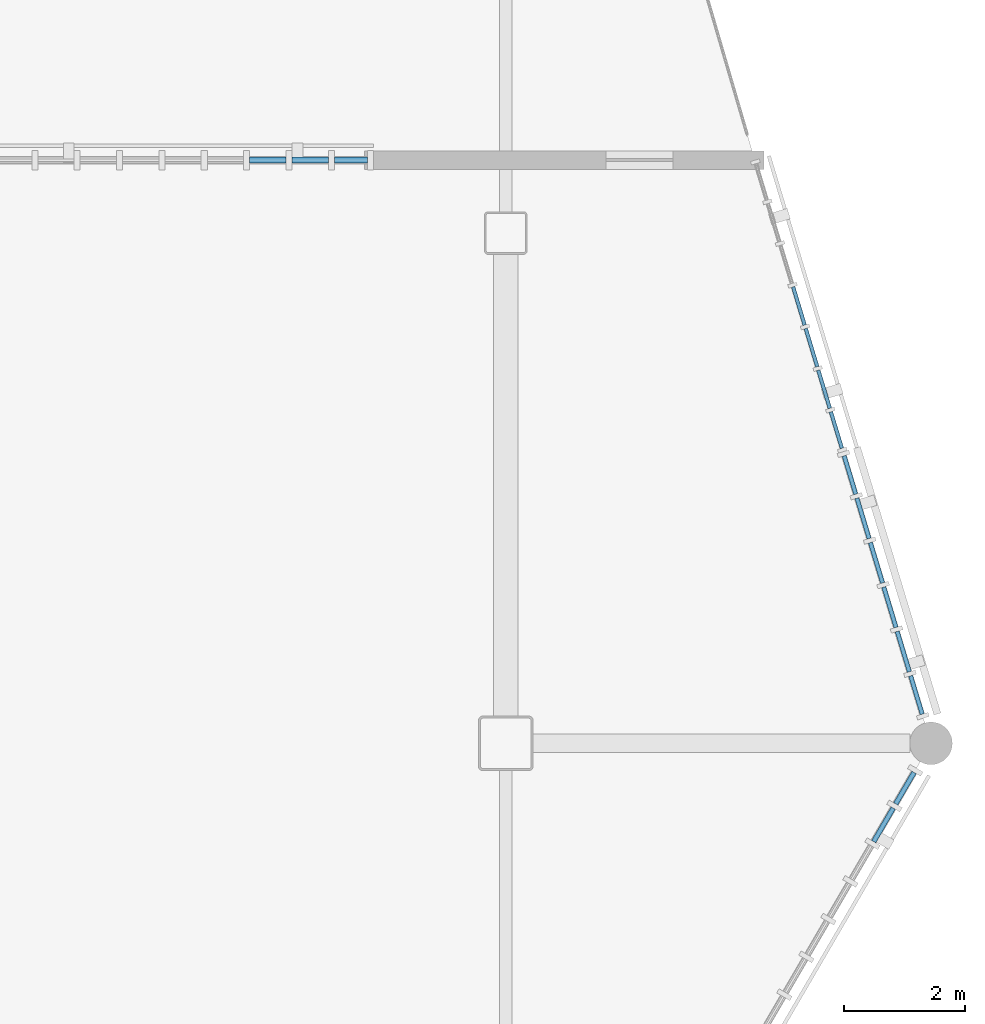
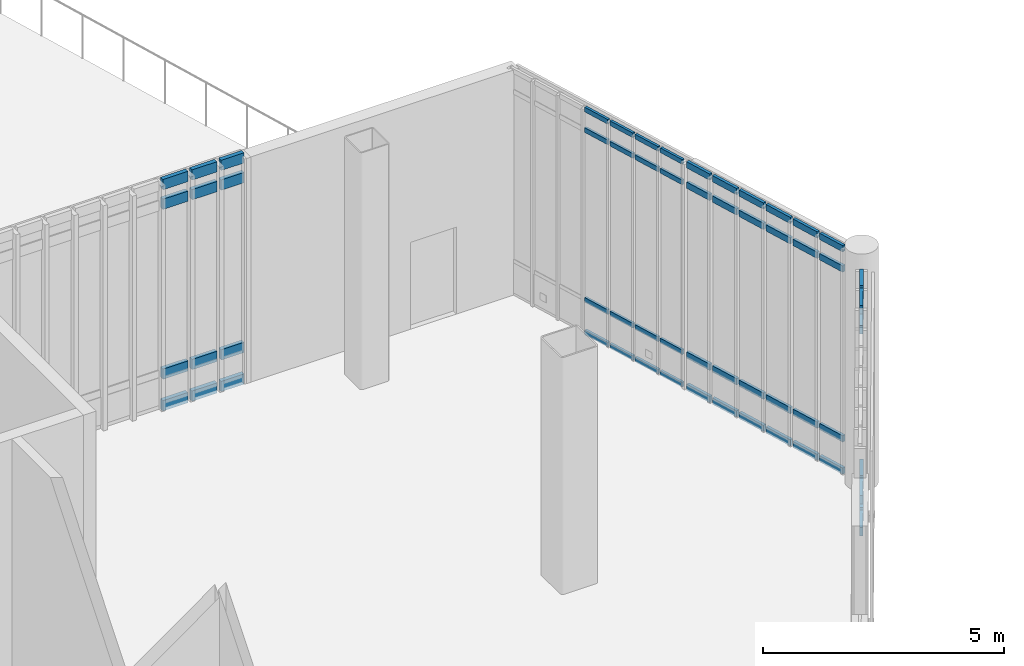
# One storey, part 63 of 135: 60 members, 4 elements without a shape of their own.
"""IFC4 building model written with IfcOpenShell, lengths in metres."""

from ifc_helpers import new_model, si_unit, direction, frame, origin, origin_2d, place, context, subcontext, project, spatial, rectangle, extrude, material, material_profile, profile_set, type_object, element, aggregate, save


model = new_model("IFC4")

# Units and contexts
model_context = context("Model", 3, precision=1e-05, world=origin(), true_north=direction((0.0, 1.0)))
body_context = subcontext(model_context, "Body", "Model", "MODEL_VIEW")
ifc_project = project(units=[si_unit("LENGTHUNIT", "METRE"), si_unit("AREAUNIT", "SQUARE_METRE"), si_unit("VOLUMEUNIT", "CUBIC_METRE"), si_unit("PLANEANGLEUNIT", "RADIAN"), si_unit("MASSUNIT", "GRAM", prefix="KILO")], contexts=[model_context])

# Site, building, storey
site_placement = place(None, origin())
site = spatial("IfcSite", under=ifc_project, at=site_placement, CompositionType="ELEMENT")
building_placement = place(site_placement, origin())
building = spatial("IfcBuilding", under=site, at=building_placement, Name="Larkvane Passage Sports Hall", CompositionType="ELEMENT")
storey_placement = place(building_placement, frame((0.0, 0.0, 10.800048828125)))
storey = spatial("IfcBuildingStorey", under=building, at=storey_placement, Name="L02", CompositionType="ELEMENT", Elevation=10.800048828125)

# Curtain wall, members
ifc_material_1 = material(Name="Thermally broken aluminium and low-E glazing", Category="aluminium")
curtain_wall_type_1 = type_object("IfcCurtainWallType", Name="CW-CLINIC", PredefinedType="USERDEFINED", material=ifc_material_1)
curtain_wall_1_placement = place(storey_placement, origin())
curtain_wall_1 = element("IfcCurtainWall", 1, at=curtain_wall_1_placement, inside=storey, type_object=curtain_wall_type_1, Name="Curtain wall CW5-L02-067", ObjectType="UNITISED CURTAIN WALL", PredefinedType="USERDEFINED")
ifc_material_2 = material(Name="Anodised aluminium 6063-T6", Category="aluminium")
ifc_material_profile_1 = material_profile(ifc_material_2, rectangle(XDim=0.10009765625, YDim=0.260009765625, at=origin_2d()), Name="ALU-TRN-100x260")
ifc_profile_set_1 = profile_set([ifc_material_profile_1], Name="Anodised aluminium 6063-T6")
member_type_1 = type_object("IfcMemberType", Name="CW-TRN-100x260", PredefinedType="USERDEFINED", material=ifc_profile_set_1)
member_1_placement = place(storey_placement, frame((141.38330078125, 85.199951171875, 0.050048828125), z_axis=(1.0, 0.0, 0.0), x_axis=(0.0, 1.0, 0.0)))
member_1 = element("IfcMember", 2, at=member_1_placement, type_object=member_type_1, Name="CW-05 transom 7.1", ObjectType="TRANSOM", PredefinedType="USERDEFINED", context=body_context, shape_type="SweptSolid", body=[
    extrude(rectangle(XDim=0.10009765625, YDim=0.260009765625, at=origin_2d()), origin(), (0.0, 0.0, 1.0), 0.59716796875),
])
member_2_placement = place(storey_placement, frame((141.38330078125, 85.199951171875, 0.849853515625), z_axis=(1.0, 0.0, 0.0), x_axis=(0.0, 1.0, 0.0)))
member_2 = element("IfcMember", 3, at=member_2_placement, type_object=member_type_1, Name="CW-05 transom 7.2", ObjectType="TRANSOM", PredefinedType="USERDEFINED", context=body_context, shape_type="SweptSolid", body=[
    extrude(rectangle(XDim=0.10009765625, YDim=0.260009765625, at=origin_2d()), origin(), (0.0, 0.0, 1.0), 0.59716796875),
])
member_3_placement = place(storey_placement, frame((141.38330078125, 85.199951171875, 5.14990234375), z_axis=(1.0, 0.0, 0.0), x_axis=(0.0, 1.0, 0.0)))
member_3 = element("IfcMember", 4, at=member_3_placement, type_object=member_type_1, Name="CW-05 transom 7.3", ObjectType="TRANSOM", PredefinedType="USERDEFINED", context=body_context, shape_type="SweptSolid", body=[
    extrude(rectangle(XDim=0.10009765625, YDim=0.260009765625, at=origin_2d()), origin(), (0.0, 0.0, 1.0), 0.59716796875),
])
member_4_placement = place(storey_placement, frame((141.38330078125, 85.199951171875, 5.64990234375), z_axis=(1.0, 0.0, 0.0), x_axis=(0.0, 1.0, 0.0)))
member_4 = element("IfcMember", 5, at=member_4_placement, type_object=member_type_1, Name="CW-05 transom 7.4", ObjectType="TRANSOM", PredefinedType="USERDEFINED", context=body_context, shape_type="SweptSolid", body=[
    extrude(rectangle(XDim=0.10009765625, YDim=0.260009765625, at=origin_2d()), origin(), (0.0, 0.0, 1.0), 0.59716796875),
])
member_5_placement = place(storey_placement, frame((142.08056640625, 85.199951171875, 0.050048828125), z_axis=(1.0, 0.0, 0.0), x_axis=(0.0, 1.0, 0.0)))
member_5 = element("IfcMember", 6, at=member_5_placement, type_object=member_type_1, Name="CW-05 transom 8.1", ObjectType="TRANSOM", PredefinedType="USERDEFINED", context=body_context, shape_type="SweptSolid", body=[
    extrude(rectangle(XDim=0.10009765625, YDim=0.260009765625, at=origin_2d()), origin(), (0.0, 0.0, 1.0), 0.59716796875),
])
member_6_placement = place(storey_placement, frame((142.08056640625, 85.199951171875, 0.849853515625), z_axis=(1.0, 0.0, 0.0), x_axis=(0.0, 1.0, 0.0)))
member_6 = element("IfcMember", 7, at=member_6_placement, type_object=member_type_1, Name="CW-05 transom 8.2", ObjectType="TRANSOM", PredefinedType="USERDEFINED", context=body_context, shape_type="SweptSolid", body=[
    extrude(rectangle(XDim=0.10009765625, YDim=0.260009765625, at=origin_2d()), origin(), (0.0, 0.0, 1.0), 0.59716796875),
])
member_7_placement = place(storey_placement, frame((142.08056640625, 85.199951171875, 5.14990234375), z_axis=(1.0, 0.0, 0.0), x_axis=(0.0, 1.0, 0.0)))
member_7 = element("IfcMember", 8, at=member_7_placement, type_object=member_type_1, Name="CW-05 transom 8.3", ObjectType="TRANSOM", PredefinedType="USERDEFINED", context=body_context, shape_type="SweptSolid", body=[
    extrude(rectangle(XDim=0.10009765625, YDim=0.260009765625, at=origin_2d()), origin(), (0.0, 0.0, 1.0), 0.59716796875),
])
member_8_placement = place(storey_placement, frame((142.08056640625, 85.199951171875, 5.64990234375), z_axis=(1.0, 0.0, 0.0), x_axis=(0.0, 1.0, 0.0)))
member_8 = element("IfcMember", 9, at=member_8_placement, type_object=member_type_1, Name="CW-05 transom 8.4", ObjectType="TRANSOM", PredefinedType="USERDEFINED", context=body_context, shape_type="SweptSolid", body=[
    extrude(rectangle(XDim=0.10009765625, YDim=0.260009765625, at=origin_2d()), origin(), (0.0, 0.0, 1.0), 0.59716796875),
])
member_9_placement = place(storey_placement, frame((142.77783203125, 85.199951171875, 0.050048828125), z_axis=(1.0, 0.0, 0.0), x_axis=(0.0, 1.0, 0.0)))
member_9 = element("IfcMember", 10, at=member_9_placement, type_object=member_type_1, Name="CW-05 transom 9.1", ObjectType="TRANSOM", PredefinedType="USERDEFINED", context=body_context, shape_type="SweptSolid", body=[
    extrude(rectangle(XDim=0.10009765625, YDim=0.260009765625, at=origin_2d()), origin(), (0.0, 0.0, 1.0), 0.547119140625),
])
member_10_placement = place(storey_placement, frame((142.77783203125, 85.199951171875, 0.849853515625), z_axis=(1.0, 0.0, 0.0), x_axis=(0.0, 1.0, 0.0)))
member_10 = element("IfcMember", 11, at=member_10_placement, type_object=member_type_1, Name="CW-05 transom 9.2", ObjectType="TRANSOM", PredefinedType="USERDEFINED", context=body_context, shape_type="SweptSolid", body=[
    extrude(rectangle(XDim=0.10009765625, YDim=0.260009765625, at=origin_2d()), origin(), (0.0, 0.0, 1.0), 0.547119140625),
])
member_11_placement = place(storey_placement, frame((142.77783203125, 85.199951171875, 5.14990234375), z_axis=(1.0, 0.0, 0.0), x_axis=(0.0, 1.0, 0.0)))
member_11 = element("IfcMember", 12, at=member_11_placement, type_object=member_type_1, Name="CW-05 transom 9.3", ObjectType="TRANSOM", PredefinedType="USERDEFINED", context=body_context, shape_type="SweptSolid", body=[
    extrude(rectangle(XDim=0.10009765625, YDim=0.260009765625, at=origin_2d()), origin(), (0.0, 0.0, 1.0), 0.547119140625),
])
member_12_placement = place(storey_placement, frame((142.77783203125, 85.199951171875, 5.64990234375), z_axis=(1.0, 0.0, 0.0), x_axis=(0.0, 1.0, 0.0)))
member_12 = element("IfcMember", 13, at=member_12_placement, type_object=member_type_1, Name="CW-05 transom 9.4", ObjectType="TRANSOM", PredefinedType="USERDEFINED", context=body_context, shape_type="SweptSolid", body=[
    extrude(rectangle(XDim=0.10009765625, YDim=0.260009765625, at=origin_2d()), origin(), (0.0, 0.0, 1.0), 0.547119140625),
])
aggregate(curtain_wall_1, [member_1, member_2, member_3, member_4, member_5, member_6, member_7, member_8, member_9, member_10, member_11, member_12])

curtain_wall_type_2 = type_object("IfcCurtainWallType", Name="CW-UNIT-COURT", PredefinedType="USERDEFINED", material=ifc_material_1)
curtain_wall_2_placement = place(storey_placement, origin())
curtain_wall_2 = element("IfcCurtainWall", 14, at=curtain_wall_2_placement, inside=storey, type_object=curtain_wall_type_2, Name="Curtain wall CW5-L02-068", ObjectType="UNITISED CURTAIN WALL", PredefinedType="USERDEFINED")
ifc_material_profile_2 = material_profile(ifc_material_2, rectangle(XDim=0.06005859375, YDim=0.1201171875, at=origin_2d()), Name="ALU-TRN-60x120")
ifc_profile_set_2 = profile_set([ifc_material_profile_2], Name="Anodised aluminium 6063-T6")
member_type_2 = type_object("IfcMemberType", Name="CW-TRN-60x120", PredefinedType="USERDEFINED", material=ifc_profile_set_2)
member_13_placement = place(storey_placement, frame((150.330078125, 83.1142578125, 0.030029296875), z_axis=(0.288985297917, -0.957333535184, 0.0), x_axis=(0.957333535184, 0.288985297917, 0.0)))
member_13 = element("IfcMember", 15, at=member_13_placement, type_object=member_type_2, Name="CW-01 transom 4.1", ObjectType="TRANSOM", PredefinedType="USERDEFINED", context=body_context, shape_type="SweptSolid", body=[
    extrude(rectangle(XDim=0.06005859375, YDim=0.1201171875, at=origin_2d()), origin(), (0.0, 0.0, 1.0), 0.656494140625),
])
member_14_placement = place(storey_placement, frame((150.330078125, 83.1142578125, 0.849853515625), z_axis=(0.288985297917, -0.957333535184, 0.0), x_axis=(0.957333535184, 0.288985297917, 0.0)))
member_14 = element("IfcMember", 16, at=member_14_placement, type_object=member_type_2, Name="CW-01 transom 4.2", ObjectType="TRANSOM", PredefinedType="USERDEFINED", context=body_context, shape_type="SweptSolid", body=[
    extrude(rectangle(XDim=0.06005859375, YDim=0.1201171875, at=origin_2d()), origin(), (0.0, 0.0, 1.0), 0.656494140625),
])
member_15_placement = place(storey_placement, frame((150.330078125, 83.1142578125, 5.14990234375), z_axis=(0.288985297917, -0.957333535184, 0.0), x_axis=(0.957333535184, 0.288985297917, 0.0)))
member_15 = element("IfcMember", 17, at=member_15_placement, type_object=member_type_2, Name="CW-01 transom 4.3", ObjectType="TRANSOM", PredefinedType="USERDEFINED", context=body_context, shape_type="SweptSolid", body=[
    extrude(rectangle(XDim=0.06005859375, YDim=0.1201171875, at=origin_2d()), origin(), (0.0, 0.0, 1.0), 0.656494140625),
])
member_16_placement = place(storey_placement, frame((150.330078125, 83.1142578125, 5.669921875), z_axis=(0.288985297917, -0.957333535184, 0.0), x_axis=(0.957333535184, 0.288985297917, 0.0)))
member_16 = element("IfcMember", 18, at=member_16_placement, type_object=member_type_2, Name="CW-01 transom 4.4", ObjectType="TRANSOM", PredefinedType="USERDEFINED", context=body_context, shape_type="SweptSolid", body=[
    extrude(rectangle(XDim=0.06005859375, YDim=0.1201171875, at=origin_2d()), origin(), (0.0, 0.0, 1.0), 0.656494140625),
])
member_17_placement = place(storey_placement, frame((150.537353515625, 82.428466796875, 0.030029296875), z_axis=(0.288985297917, -0.957333535184, 0.0), x_axis=(0.957333535184, 0.288985297917, 0.0)))
member_17 = element("IfcMember", 19, at=member_17_placement, type_object=member_type_2, Name="CW-01 transom 5.1", ObjectType="TRANSOM", PredefinedType="USERDEFINED", context=body_context, shape_type="SweptSolid", body=[
    extrude(rectangle(XDim=0.06005859375, YDim=0.1201171875, at=origin_2d()), origin(), (0.0, 0.0, 1.0), 0.656494140625),
])
member_18_placement = place(storey_placement, frame((150.537353515625, 82.428466796875, 0.849853515625), z_axis=(0.288985297917, -0.957333535184, 0.0), x_axis=(0.957333535184, 0.288985297917, 0.0)))
member_18 = element("IfcMember", 20, at=member_18_placement, type_object=member_type_2, Name="CW-01 transom 5.2", ObjectType="TRANSOM", PredefinedType="USERDEFINED", context=body_context, shape_type="SweptSolid", body=[
    extrude(rectangle(XDim=0.06005859375, YDim=0.1201171875, at=origin_2d()), origin(), (0.0, 0.0, 1.0), 0.656494140625),
])
member_19_placement = place(storey_placement, frame((150.537353515625, 82.428466796875, 5.14990234375), z_axis=(0.288985297917, -0.957333535184, 0.0), x_axis=(0.957333535184, 0.288985297917, 0.0)))
member_19 = element("IfcMember", 21, at=member_19_placement, type_object=member_type_2, Name="CW-01 transom 5.3", ObjectType="TRANSOM", PredefinedType="USERDEFINED", context=body_context, shape_type="SweptSolid", body=[
    extrude(rectangle(XDim=0.06005859375, YDim=0.1201171875, at=origin_2d()), origin(), (0.0, 0.0, 1.0), 0.656494140625),
])
member_20_placement = place(storey_placement, frame((150.537353515625, 82.428466796875, 5.669921875), z_axis=(0.288985297917, -0.957333535184, 0.0), x_axis=(0.957333535184, 0.288985297917, 0.0)))
member_20 = element("IfcMember", 22, at=member_20_placement, type_object=member_type_2, Name="CW-01 transom 5.4", ObjectType="TRANSOM", PredefinedType="USERDEFINED", context=body_context, shape_type="SweptSolid", body=[
    extrude(rectangle(XDim=0.06005859375, YDim=0.1201171875, at=origin_2d()), origin(), (0.0, 0.0, 1.0), 0.656494140625),
])
member_21_placement = place(storey_placement, frame((150.744384765625, 81.74267578125, 0.030029296875), z_axis=(0.289088227772, -0.957302458246, 0.0), x_axis=(0.957302458246, 0.289088227772, 0.0)))
member_21 = element("IfcMember", 23, at=member_21_placement, type_object=member_type_2, Name="CW-01 transom 6.1", ObjectType="TRANSOM", PredefinedType="USERDEFINED", context=body_context, shape_type="SweptSolid", body=[
    extrude(rectangle(XDim=0.06005859375, YDim=0.1201171875, at=origin_2d()), origin(), (0.0, 0.0, 1.0), 0.65625),
])
member_22_placement = place(storey_placement, frame((150.744384765625, 81.74267578125, 0.849853515625), z_axis=(0.289088227772, -0.957302458246, 0.0), x_axis=(0.957302458246, 0.289088227772, 0.0)))
member_22 = element("IfcMember", 24, at=member_22_placement, type_object=member_type_2, Name="CW-01 transom 6.2", ObjectType="TRANSOM", PredefinedType="USERDEFINED", context=body_context, shape_type="SweptSolid", body=[
    extrude(rectangle(XDim=0.06005859375, YDim=0.1201171875, at=origin_2d()), origin(), (0.0, 0.0, 1.0), 0.65625),
])
member_23_placement = place(storey_placement, frame((150.744384765625, 81.74267578125, 5.14990234375), z_axis=(0.289088227772, -0.957302458246, 0.0), x_axis=(0.957302458246, 0.289088227772, 0.0)))
member_23 = element("IfcMember", 25, at=member_23_placement, type_object=member_type_2, Name="CW-01 transom 6.3", ObjectType="TRANSOM", PredefinedType="USERDEFINED", context=body_context, shape_type="SweptSolid", body=[
    extrude(rectangle(XDim=0.06005859375, YDim=0.1201171875, at=origin_2d()), origin(), (0.0, 0.0, 1.0), 0.65625),
])
member_24_placement = place(storey_placement, frame((150.744384765625, 81.74267578125, 5.669921875), z_axis=(0.289088227772, -0.957302458246, 0.0), x_axis=(0.957302458246, 0.289088227772, 0.0)))
member_24 = element("IfcMember", 26, at=member_24_placement, type_object=member_type_2, Name="CW-01 transom 6.4", ObjectType="TRANSOM", PredefinedType="USERDEFINED", context=body_context, shape_type="SweptSolid", body=[
    extrude(rectangle(XDim=0.06005859375, YDim=0.1201171875, at=origin_2d()), origin(), (0.0, 0.0, 1.0), 0.65625),
])
member_25_placement = place(storey_placement, frame((150.951416015625, 81.056884765625, 0.030029296875), z_axis=(0.289314725391, -0.957234030774, 0.0), x_axis=(0.957234030774, 0.289314725391, 0.0)))
member_25 = element("IfcMember", 27, at=member_25_placement, type_object=member_type_2, Name="CW-01 transom 7.1", ObjectType="TRANSOM", PredefinedType="USERDEFINED", context=body_context, shape_type="SweptSolid", body=[
    extrude(rectangle(XDim=0.06005859375, YDim=0.1201171875, at=origin_2d()), origin(), (0.0, 0.0, 1.0), 0.626220703125),
])
member_26_placement = place(storey_placement, frame((150.951416015625, 81.056884765625, 0.849853515625), z_axis=(0.289314725391, -0.957234030774, 0.0), x_axis=(0.957234030774, 0.289314725391, 0.0)))
member_26 = element("IfcMember", 28, at=member_26_placement, type_object=member_type_2, Name="CW-01 transom 7.2", ObjectType="TRANSOM", PredefinedType="USERDEFINED", context=body_context, shape_type="SweptSolid", body=[
    extrude(rectangle(XDim=0.06005859375, YDim=0.1201171875, at=origin_2d()), origin(), (0.0, 0.0, 1.0), 0.626220703125),
])
member_27_placement = place(storey_placement, frame((150.951416015625, 81.056884765625, 5.14990234375), z_axis=(0.289314725391, -0.957234030774, 0.0), x_axis=(0.957234030774, 0.289314725391, 0.0)))
member_27 = element("IfcMember", 29, at=member_27_placement, type_object=member_type_2, Name="CW-01 transom 7.3", ObjectType="TRANSOM", PredefinedType="USERDEFINED", context=body_context, shape_type="SweptSolid", body=[
    extrude(rectangle(XDim=0.06005859375, YDim=0.1201171875, at=origin_2d()), origin(), (0.0, 0.0, 1.0), 0.626220703125),
])
member_28_placement = place(storey_placement, frame((150.951416015625, 81.056884765625, 5.669921875), z_axis=(0.289314725391, -0.957234030774, 0.0), x_axis=(0.957234030774, 0.289314725391, 0.0)))
member_28 = element("IfcMember", 30, at=member_28_placement, type_object=member_type_2, Name="CW-01 transom 7.4", ObjectType="TRANSOM", PredefinedType="USERDEFINED", context=body_context, shape_type="SweptSolid", body=[
    extrude(rectangle(XDim=0.06005859375, YDim=0.1201171875, at=origin_2d()), origin(), (0.0, 0.0, 1.0), 0.626220703125),
])
aggregate(curtain_wall_2, [member_13, member_14, member_15, member_16, member_17, member_18, member_19, member_20, member_21, member_22, member_23, member_24, member_25, member_26, member_27, member_28])

curtain_wall_type_3 = type_object("IfcCurtainWallType", Name="CW-UNIT-VEIL", PredefinedType="USERDEFINED", material=ifc_material_1)
curtain_wall_3_placement = place(storey_placement, origin())
curtain_wall_3 = element("IfcCurtainWall", 31, at=curtain_wall_3_placement, inside=storey, type_object=curtain_wall_type_3, Name="Curtain wall CW5-L02-069", ObjectType="UNITISED CURTAIN WALL", PredefinedType="USERDEFINED")
ifc_material_profile_3 = material_profile(ifc_material_2, rectangle(XDim=0.070068359375, YDim=0.159912109375, at=origin_2d()), Name="ALU-TRN-70x160")
ifc_profile_set_3 = profile_set([ifc_material_profile_3], Name="Anodised aluminium 6063-T6")
member_type_3 = type_object("IfcMemberType", Name="CW-TRN-70x160", PredefinedType="USERDEFINED", material=ifc_profile_set_3)
member_29_placement = place(storey_placement, frame((151.170166015625, 80.3330078125, 0.034912109375), z_axis=(0.289081495605, -0.957304491214, 0.0), x_axis=(0.957304491214, 0.289081495605, 0.0)))
member_29 = element("IfcMember", 32, at=member_29_placement, type_object=member_type_3, Name="CW-02 transom 1.1", ObjectType="TRANSOM", PredefinedType="USERDEFINED", context=body_context, shape_type="SweptSolid", body=[
    extrude(rectangle(XDim=0.070068359375, YDim=0.159912109375, at=origin_2d()), origin(), (0.0, 0.0, 1.0), 0.65869140625),
])
member_30_placement = place(storey_placement, frame((151.170166015625, 80.3330078125, 0.849853515625), z_axis=(0.289081495605, -0.957304491214, 0.0), x_axis=(0.957304491214, 0.289081495605, 0.0)))
member_30 = element("IfcMember", 33, at=member_30_placement, type_object=member_type_3, Name="CW-02 transom 1.2", ObjectType="TRANSOM", PredefinedType="USERDEFINED", context=body_context, shape_type="SweptSolid", body=[
    extrude(rectangle(XDim=0.070068359375, YDim=0.159912109375, at=origin_2d()), origin(), (0.0, 0.0, 1.0), 0.65869140625),
])
member_31_placement = place(storey_placement, frame((151.170166015625, 80.3330078125, 5.14990234375), z_axis=(0.289081495605, -0.957304491214, 0.0), x_axis=(0.957304491214, 0.289081495605, 0.0)))
member_31 = element("IfcMember", 34, at=member_31_placement, type_object=member_type_3, Name="CW-02 transom 1.3", ObjectType="TRANSOM", PredefinedType="USERDEFINED", context=body_context, shape_type="SweptSolid", body=[
    extrude(rectangle(XDim=0.070068359375, YDim=0.159912109375, at=origin_2d()), origin(), (0.0, 0.0, 1.0), 0.65869140625),
])
member_32_placement = place(storey_placement, frame((151.170166015625, 80.3330078125, 5.6650390625), z_axis=(0.289081495605, -0.957304491214, 0.0), x_axis=(0.957304491214, 0.289081495605, 0.0)))
member_32 = element("IfcMember", 35, at=member_32_placement, type_object=member_type_3, Name="CW-02 transom 1.4", ObjectType="TRANSOM", PredefinedType="USERDEFINED", context=body_context, shape_type="SweptSolid", body=[
    extrude(rectangle(XDim=0.070068359375, YDim=0.159912109375, at=origin_2d()), origin(), (0.0, 0.0, 1.0), 0.65869140625),
])
member_33_placement = place(storey_placement, frame((151.380859375, 79.635498046875, 0.034912109375), z_axis=(0.289284514186, -0.957243161298, 0.0), x_axis=(0.957243161298, 0.289284514186, 0.0)))
member_33 = element("IfcMember", 36, at=member_33_placement, type_object=member_type_3, Name="CW-02 transom 2.1", ObjectType="TRANSOM", PredefinedType="USERDEFINED", context=body_context, shape_type="SweptSolid", body=[
    extrude(rectangle(XDim=0.070068359375, YDim=0.159912109375, at=origin_2d()), origin(), (0.0, 0.0, 1.0), 0.693603515625),
])
member_34_placement = place(storey_placement, frame((151.380859375, 79.635498046875, 0.849853515625), z_axis=(0.289284514186, -0.957243161298, 0.0), x_axis=(0.957243161298, 0.289284514186, 0.0)))
member_34 = element("IfcMember", 37, at=member_34_placement, type_object=member_type_3, Name="CW-02 transom 2.2", ObjectType="TRANSOM", PredefinedType="USERDEFINED", context=body_context, shape_type="SweptSolid", body=[
    extrude(rectangle(XDim=0.070068359375, YDim=0.159912109375, at=origin_2d()), origin(), (0.0, 0.0, 1.0), 0.693603515625),
])
member_35_placement = place(storey_placement, frame((151.380859375, 79.635498046875, 5.14990234375), z_axis=(0.289284514186, -0.957243161298, 0.0), x_axis=(0.957243161298, 0.289284514186, 0.0)))
member_35 = element("IfcMember", 38, at=member_35_placement, type_object=member_type_3, Name="CW-02 transom 2.3", ObjectType="TRANSOM", PredefinedType="USERDEFINED", context=body_context, shape_type="SweptSolid", body=[
    extrude(rectangle(XDim=0.070068359375, YDim=0.159912109375, at=origin_2d()), origin(), (0.0, 0.0, 1.0), 0.693603515625),
])
member_36_placement = place(storey_placement, frame((151.380859375, 79.635498046875, 5.6650390625), z_axis=(0.289284514186, -0.957243161298, 0.0), x_axis=(0.957243161298, 0.289284514186, 0.0)))
member_36 = element("IfcMember", 39, at=member_36_placement, type_object=member_type_3, Name="CW-02 transom 2.4", ObjectType="TRANSOM", PredefinedType="USERDEFINED", context=body_context, shape_type="SweptSolid", body=[
    extrude(rectangle(XDim=0.070068359375, YDim=0.159912109375, at=origin_2d()), origin(), (0.0, 0.0, 1.0), 0.693603515625),
])
member_37_placement = place(storey_placement, frame((151.601806640625, 78.904541015625, 0.034912109375), z_axis=(0.289284514186, -0.957243161298, 0.0), x_axis=(0.957243161298, 0.289284514186, 0.0)))
member_37 = element("IfcMember", 40, at=member_37_placement, type_object=member_type_3, Name="CW-02 transom 3.1", ObjectType="TRANSOM", PredefinedType="USERDEFINED", context=body_context, shape_type="SweptSolid", body=[
    extrude(rectangle(XDim=0.070068359375, YDim=0.159912109375, at=origin_2d()), origin(), (0.0, 0.0, 1.0), 0.693603515625),
])
member_38_placement = place(storey_placement, frame((151.601806640625, 78.904541015625, 0.849853515625), z_axis=(0.289284514186, -0.957243161298, 0.0), x_axis=(0.957243161298, 0.289284514186, 0.0)))
member_38 = element("IfcMember", 41, at=member_38_placement, type_object=member_type_3, Name="CW-02 transom 3.2", ObjectType="TRANSOM", PredefinedType="USERDEFINED", context=body_context, shape_type="SweptSolid", body=[
    extrude(rectangle(XDim=0.070068359375, YDim=0.159912109375, at=origin_2d()), origin(), (0.0, 0.0, 1.0), 0.693603515625),
])
member_39_placement = place(storey_placement, frame((151.601806640625, 78.904541015625, 5.14990234375), z_axis=(0.289284514186, -0.957243161298, 0.0), x_axis=(0.957243161298, 0.289284514186, 0.0)))
member_39 = element("IfcMember", 42, at=member_39_placement, type_object=member_type_3, Name="CW-02 transom 3.3", ObjectType="TRANSOM", PredefinedType="USERDEFINED", context=body_context, shape_type="SweptSolid", body=[
    extrude(rectangle(XDim=0.070068359375, YDim=0.159912109375, at=origin_2d()), origin(), (0.0, 0.0, 1.0), 0.693603515625),
])
member_40_placement = place(storey_placement, frame((151.601806640625, 78.904541015625, 5.6650390625), z_axis=(0.289284514186, -0.957243161298, 0.0), x_axis=(0.957243161298, 0.289284514186, 0.0)))
member_40 = element("IfcMember", 43, at=member_40_placement, type_object=member_type_3, Name="CW-02 transom 3.4", ObjectType="TRANSOM", PredefinedType="USERDEFINED", context=body_context, shape_type="SweptSolid", body=[
    extrude(rectangle(XDim=0.070068359375, YDim=0.159912109375, at=origin_2d()), origin(), (0.0, 0.0, 1.0), 0.693603515625),
])
member_41_placement = place(storey_placement, frame((151.822509765625, 78.17333984375, 0.034912109375), z_axis=(0.289284514186, -0.957243161298, 0.0), x_axis=(0.957243161298, 0.289284514186, 0.0)))
member_41 = element("IfcMember", 44, at=member_41_placement, type_object=member_type_3, Name="CW-02 transom 4.1", ObjectType="TRANSOM", PredefinedType="USERDEFINED", context=body_context, shape_type="SweptSolid", body=[
    extrude(rectangle(XDim=0.070068359375, YDim=0.159912109375, at=origin_2d()), origin(), (0.0, 0.0, 1.0), 0.693603515625),
])
member_42_placement = place(storey_placement, frame((151.822509765625, 78.17333984375, 0.849853515625), z_axis=(0.289284514186, -0.957243161298, 0.0), x_axis=(0.957243161298, 0.289284514186, 0.0)))
member_42 = element("IfcMember", 45, at=member_42_placement, type_object=member_type_3, Name="CW-02 transom 4.2", ObjectType="TRANSOM", PredefinedType="USERDEFINED", context=body_context, shape_type="SweptSolid", body=[
    extrude(rectangle(XDim=0.070068359375, YDim=0.159912109375, at=origin_2d()), origin(), (0.0, 0.0, 1.0), 0.693603515625),
])
member_43_placement = place(storey_placement, frame((151.822509765625, 78.17333984375, 5.14990234375), z_axis=(0.289284514186, -0.957243161298, 0.0), x_axis=(0.957243161298, 0.289284514186, 0.0)))
member_43 = element("IfcMember", 46, at=member_43_placement, type_object=member_type_3, Name="CW-02 transom 4.3", ObjectType="TRANSOM", PredefinedType="USERDEFINED", context=body_context, shape_type="SweptSolid", body=[
    extrude(rectangle(XDim=0.070068359375, YDim=0.159912109375, at=origin_2d()), origin(), (0.0, 0.0, 1.0), 0.693603515625),
])
member_44_placement = place(storey_placement, frame((151.822509765625, 78.17333984375, 5.6650390625), z_axis=(0.289284514186, -0.957243161298, 0.0), x_axis=(0.957243161298, 0.289284514186, 0.0)))
member_44 = element("IfcMember", 47, at=member_44_placement, type_object=member_type_3, Name="CW-02 transom 4.4", ObjectType="TRANSOM", PredefinedType="USERDEFINED", context=body_context, shape_type="SweptSolid", body=[
    extrude(rectangle(XDim=0.070068359375, YDim=0.159912109375, at=origin_2d()), origin(), (0.0, 0.0, 1.0), 0.693603515625),
])
member_45_placement = place(storey_placement, frame((152.04345703125, 77.4423828125, 0.034912109375), z_axis=(0.289284514186, -0.957243161298, 0.0), x_axis=(0.957243161298, 0.289284514186, 0.0)))
member_45 = element("IfcMember", 48, at=member_45_placement, type_object=member_type_3, Name="CW-02 transom 5.1", ObjectType="TRANSOM", PredefinedType="USERDEFINED", context=body_context, shape_type="SweptSolid", body=[
    extrude(rectangle(XDim=0.070068359375, YDim=0.159912109375, at=origin_2d()), origin(), (0.0, 0.0, 1.0), 0.693603515625),
])
member_46_placement = place(storey_placement, frame((152.04345703125, 77.4423828125, 0.849853515625), z_axis=(0.289284514186, -0.957243161298, 0.0), x_axis=(0.957243161298, 0.289284514186, 0.0)))
member_46 = element("IfcMember", 49, at=member_46_placement, type_object=member_type_3, Name="CW-02 transom 5.2", ObjectType="TRANSOM", PredefinedType="USERDEFINED", context=body_context, shape_type="SweptSolid", body=[
    extrude(rectangle(XDim=0.070068359375, YDim=0.159912109375, at=origin_2d()), origin(), (0.0, 0.0, 1.0), 0.693603515625),
])
member_47_placement = place(storey_placement, frame((152.04345703125, 77.4423828125, 5.14990234375), z_axis=(0.289284514186, -0.957243161298, 0.0), x_axis=(0.957243161298, 0.289284514186, 0.0)))
member_47 = element("IfcMember", 50, at=member_47_placement, type_object=member_type_3, Name="CW-02 transom 5.3", ObjectType="TRANSOM", PredefinedType="USERDEFINED", context=body_context, shape_type="SweptSolid", body=[
    extrude(rectangle(XDim=0.070068359375, YDim=0.159912109375, at=origin_2d()), origin(), (0.0, 0.0, 1.0), 0.693603515625),
])
member_48_placement = place(storey_placement, frame((152.04345703125, 77.4423828125, 5.6650390625), z_axis=(0.289284514186, -0.957243161298, 0.0), x_axis=(0.957243161298, 0.289284514186, 0.0)))
member_48 = element("IfcMember", 51, at=member_48_placement, type_object=member_type_3, Name="CW-02 transom 5.4", ObjectType="TRANSOM", PredefinedType="USERDEFINED", context=body_context, shape_type="SweptSolid", body=[
    extrude(rectangle(XDim=0.070068359375, YDim=0.159912109375, at=origin_2d()), origin(), (0.0, 0.0, 1.0), 0.693603515625),
])
member_49_placement = place(storey_placement, frame((152.264404296875, 76.71142578125, 0.034912109375), z_axis=(0.289081495605, -0.957304491214, 0.0), x_axis=(0.957304491214, 0.289081495605, 0.0)))
member_49 = element("IfcMember", 52, at=member_49_placement, type_object=member_type_3, Name="CW-02 transom 6.1", ObjectType="TRANSOM", PredefinedType="USERDEFINED", context=body_context, shape_type="SweptSolid", body=[
    extrude(rectangle(XDim=0.070068359375, YDim=0.159912109375, at=origin_2d()), origin(), (0.0, 0.0, 1.0), 0.65869140625),
])
member_50_placement = place(storey_placement, frame((152.264404296875, 76.71142578125, 0.849853515625), z_axis=(0.289081495605, -0.957304491214, 0.0), x_axis=(0.957304491214, 0.289081495605, 0.0)))
member_50 = element("IfcMember", 53, at=member_50_placement, type_object=member_type_3, Name="CW-02 transom 6.2", ObjectType="TRANSOM", PredefinedType="USERDEFINED", context=body_context, shape_type="SweptSolid", body=[
    extrude(rectangle(XDim=0.070068359375, YDim=0.159912109375, at=origin_2d()), origin(), (0.0, 0.0, 1.0), 0.65869140625),
])
member_51_placement = place(storey_placement, frame((152.264404296875, 76.71142578125, 5.14990234375), z_axis=(0.289081495605, -0.957304491214, 0.0), x_axis=(0.957304491214, 0.289081495605, 0.0)))
member_51 = element("IfcMember", 54, at=member_51_placement, type_object=member_type_3, Name="CW-02 transom 6.3", ObjectType="TRANSOM", PredefinedType="USERDEFINED", context=body_context, shape_type="SweptSolid", body=[
    extrude(rectangle(XDim=0.070068359375, YDim=0.159912109375, at=origin_2d()), origin(), (0.0, 0.0, 1.0), 0.65869140625),
])
member_52_placement = place(storey_placement, frame((152.264404296875, 76.71142578125, 5.6650390625), z_axis=(0.289081495605, -0.957304491214, 0.0), x_axis=(0.957304491214, 0.289081495605, 0.0)))
member_52 = element("IfcMember", 55, at=member_52_placement, type_object=member_type_3, Name="CW-02 transom 6.4", ObjectType="TRANSOM", PredefinedType="USERDEFINED", context=body_context, shape_type="SweptSolid", body=[
    extrude(rectangle(XDim=0.070068359375, YDim=0.159912109375, at=origin_2d()), origin(), (0.0, 0.0, 1.0), 0.65869140625),
])
aggregate(curtain_wall_3, [member_29, member_30, member_31, member_32, member_33, member_34, member_35, member_36, member_37, member_38, member_39, member_40, member_41, member_42, member_43, member_44, member_45, member_46, member_47, member_48, member_49, member_50, member_51, member_52])

curtain_wall_type_4 = type_object("IfcCurtainWallType", Name="CW-STICK-FOYER", PredefinedType="USERDEFINED", material=ifc_material_1)
curtain_wall_4_placement = place(storey_placement, origin())
curtain_wall_4 = element("IfcCurtainWall", 56, at=curtain_wall_4_placement, inside=storey, type_object=curtain_wall_type_4, Name="Curtain wall CW5-L02-070", ObjectType="STICK CURTAIN WALL", PredefinedType="USERDEFINED")
ifc_material_profile_4 = material_profile(ifc_material_2, rectangle(XDim=0.080078125, YDim=0.2099609375, at=origin_2d()), Name="ALU-TRN-80x210")
ifc_profile_set_4 = profile_set([ifc_material_profile_4], Name="Anodised aluminium 6063-T6")
member_type_4 = type_object("IfcMemberType", Name="CW-TRN-80x210", PredefinedType="USERDEFINED", material=ifc_profile_set_4)
member_53_placement = place(storey_placement, frame((152.320556640625, 75.120849609375, 0.0400390625), z_axis=(-0.504149743895, -0.863616254902, 0.0), x_axis=(0.863616254902, -0.504149743895, 0.0)))
member_53 = element("IfcMember", 57, at=member_53_placement, type_object=member_type_4, Name="CW-03 transom 1.1", ObjectType="TRANSOM", PredefinedType="USERDEFINED", context=body_context, shape_type="SweptSolid", body=[
    extrude(rectangle(XDim=0.080078125, YDim=0.2099609375, at=origin_2d()), origin(), (0.0, 0.0, 1.0), 0.59912109375),
])
member_54_placement = place(storey_placement, frame((152.320556640625, 75.120849609375, 0.849853515625), z_axis=(-0.504149743895, -0.863616254902, 0.0), x_axis=(0.863616254902, -0.504149743895, 0.0)))
member_54 = element("IfcMember", 58, at=member_54_placement, type_object=member_type_4, Name="CW-03 transom 1.2", ObjectType="TRANSOM", PredefinedType="USERDEFINED", context=body_context, shape_type="SweptSolid", body=[
    extrude(rectangle(XDim=0.080078125, YDim=0.2099609375, at=origin_2d()), origin(), (0.0, 0.0, 1.0), 0.59912109375),
])
member_55_placement = place(storey_placement, frame((152.320556640625, 75.120849609375, 5.14990234375), z_axis=(-0.504149743895, -0.863616254902, 0.0), x_axis=(0.863616254902, -0.504149743895, 0.0)))
member_55 = element("IfcMember", 59, at=member_55_placement, type_object=member_type_4, Name="CW-03 transom 1.3", ObjectType="TRANSOM", PredefinedType="USERDEFINED", context=body_context, shape_type="SweptSolid", body=[
    extrude(rectangle(XDim=0.080078125, YDim=0.2099609375, at=origin_2d()), origin(), (0.0, 0.0, 1.0), 0.59912109375),
])
member_56_placement = place(storey_placement, frame((152.320556640625, 75.120849609375, 5.659912109375), z_axis=(-0.504149743895, -0.863616254902, 0.0), x_axis=(0.863616254902, -0.504149743895, 0.0)))
member_56 = element("IfcMember", 60, at=member_56_placement, type_object=member_type_4, Name="CW-03 transom 1.4", ObjectType="TRANSOM", PredefinedType="USERDEFINED", context=body_context, shape_type="SweptSolid", body=[
    extrude(rectangle(XDim=0.080078125, YDim=0.2099609375, at=origin_2d()), origin(), (0.0, 0.0, 1.0), 0.59912109375),
])
member_57_placement = place(storey_placement, frame((151.978271484375, 74.534423828125, 0.0400390625), z_axis=(-0.503894778363, -0.863765044638, 0.0), x_axis=(0.863765044638, -0.503894778363, 0.0)))
member_57 = element("IfcMember", 61, at=member_57_placement, type_object=member_type_4, Name="CW-03 transom 2.1", ObjectType="TRANSOM", PredefinedType="USERDEFINED", context=body_context, shape_type="SweptSolid", body=[
    extrude(rectangle(XDim=0.080078125, YDim=0.2099609375, at=origin_2d()), origin(), (0.0, 0.0, 1.0), 0.63916015625),
])
member_58_placement = place(storey_placement, frame((151.978271484375, 74.534423828125, 0.849853515625), z_axis=(-0.503894778363, -0.863765044638, 0.0), x_axis=(0.863765044638, -0.503894778363, 0.0)))
member_58 = element("IfcMember", 62, at=member_58_placement, type_object=member_type_4, Name="CW-03 transom 2.2", ObjectType="TRANSOM", PredefinedType="USERDEFINED", context=body_context, shape_type="SweptSolid", body=[
    extrude(rectangle(XDim=0.080078125, YDim=0.2099609375, at=origin_2d()), origin(), (0.0, 0.0, 1.0), 0.63916015625),
])
member_59_placement = place(storey_placement, frame((151.978271484375, 74.534423828125, 5.14990234375), z_axis=(-0.503894778363, -0.863765044638, 0.0), x_axis=(0.863765044638, -0.503894778363, 0.0)))
member_59 = element("IfcMember", 63, at=member_59_placement, type_object=member_type_4, Name="CW-03 transom 2.3", ObjectType="TRANSOM", PredefinedType="USERDEFINED", context=body_context, shape_type="SweptSolid", body=[
    extrude(rectangle(XDim=0.080078125, YDim=0.2099609375, at=origin_2d()), origin(), (0.0, 0.0, 1.0), 0.63916015625),
])
member_60_placement = place(storey_placement, frame((151.978271484375, 74.534423828125, 5.659912109375), z_axis=(-0.503894778363, -0.863765044638, 0.0), x_axis=(0.863765044638, -0.503894778363, 0.0)))
member_60 = element("IfcMember", 64, at=member_60_placement, type_object=member_type_4, Name="CW-03 transom 2.4", ObjectType="TRANSOM", PredefinedType="USERDEFINED", context=body_context, shape_type="SweptSolid", body=[
    extrude(rectangle(XDim=0.080078125, YDim=0.2099609375, at=origin_2d()), origin(), (0.0, 0.0, 1.0), 0.63916015625),
])
aggregate(curtain_wall_4, [member_53, member_54, member_55, member_56, member_57, member_58, member_59, member_60])

save(model, "model.ifc")
